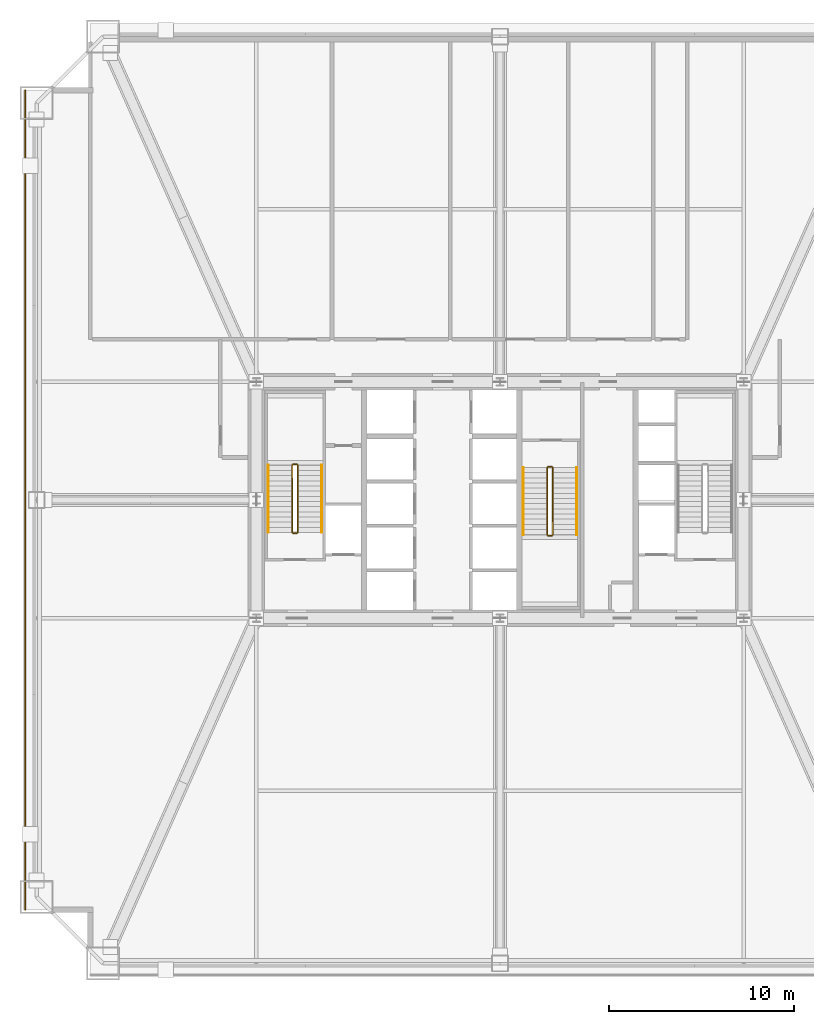
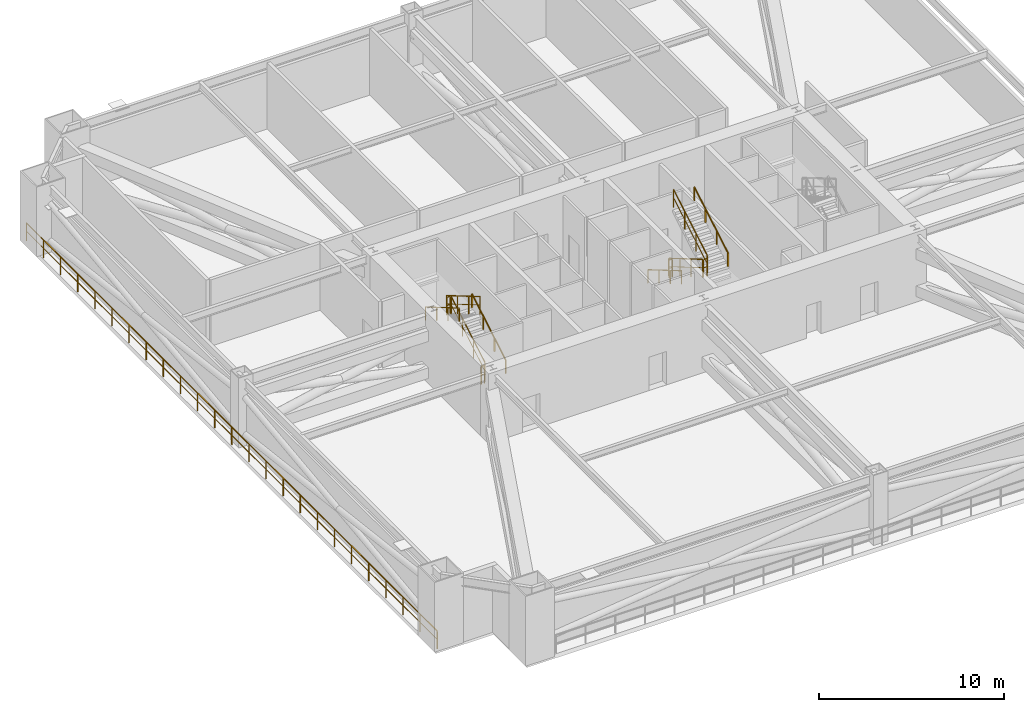
# One storey, part 9 of 11: 13 railings.
"""IFC4 building model written with IfcOpenShell, lengths in metres."""

from ifc_helpers import new_model, si_unit, direction, frame, origin, origin_2d, place, context, subcontext, project, spatial, rectangle, extrude, source, transform, mapped, material, layer, layer_set, type_object, element, save


model = new_model("IFC4")

# Units and contexts
model_context = context("Model", 3, precision=1e-05, world=origin(), true_north=direction((0.0, 1.0)))
body_context = subcontext(model_context, "Body", "Model", "MODEL_VIEW")
ifc_project = project(units=[si_unit("LENGTHUNIT", "METRE"), si_unit("AREAUNIT", "SQUARE_METRE"), si_unit("VOLUMEUNIT", "CUBIC_METRE"), si_unit("PLANEANGLEUNIT", "RADIAN"), si_unit("MASSUNIT", "GRAM", prefix="KILO"), si_unit("THERMODYNAMICTEMPERATUREUNIT", "KELVIN"), si_unit("POWERUNIT", "WATT")], contexts=[model_context])

# Site, building, storey
site_placement = place(None, origin())
site = spatial("IfcSite", under=ifc_project, at=site_placement, CompositionType="ELEMENT")
building_placement = place(site_placement, origin())
building = spatial("IfcBuilding", under=site, at=building_placement, Name="Yuzanri Waterfront Tower", CompositionType="ELEMENT")
storey_placement = place(building_placement, frame((0.0, 0.0, 41.39990234375)))
storey = spatial("IfcBuildingStorey", under=building, at=storey_placement, Name="L10", CompositionType="ELEMENT", Elevation=41.39990234375)

# Railings
ifc_material_1 = material(Name="Anodized Architectural Bronze", Category="metal")
ifc_layer_1 = layer(ifc_material_1, 0.080078125)
ifc_layer_set_1 = layer_set([ifc_layer_1], Name="Anodized Architectural Bronze")
railing_type_1 = type_object("IfcRailingType", Name="Laminated Glass and Bronze Balcony Guardrail 1200", PredefinedType="BALUSTRADE", material=ifc_layer_set_1)
shared_shape_1 = source(origin(), body_context, "Body", "SweptSolid", [
    extrude(rectangle(XDim=0.050048828125, YDim=0.050048828125, at=origin_2d()), frame((0.0, 0.0, 1.1748046875), z_axis=(0.0, 1.0, 0.0), x_axis=(-1.0, 0.0, 0.0)), (0.0, 0.0, 1.0), 44.39990234375),
    extrude(rectangle(XDim=0.035888671875, YDim=0.030029296875, at=origin_2d()), frame((0.0, 0.0, 0.6240234375), z_axis=(0.0, 1.0, 0.0), x_axis=(-1.0, 0.0, 0.0)), (0.0, 0.0, 1.0), 44.39990234375),
    extrude(rectangle(XDim=0.0458984375, YDim=0.0458984375, at=origin_2d()), origin(), (0.0, 0.0, 1.0), 1.14990234375),
    extrude(rectangle(XDim=0.0458984375, YDim=0.0458984375, at=origin_2d()), frame((0.0, 1.85009765625, 0.0)), (0.0, 0.0, 1.0), 1.14990234375),
    extrude(rectangle(XDim=0.0458984375, YDim=0.0458984375, at=origin_2d()), frame((0.0, 3.699951171875, 0.0)), (0.0, 0.0, 1.0), 1.14990234375),
    extrude(rectangle(XDim=0.0458984375, YDim=0.0458984375, at=origin_2d()), frame((0.0, 5.550048828125, 0.0)), (0.0, 0.0, 1.0), 1.14990234375),
    extrude(rectangle(XDim=0.0458984375, YDim=0.0458984375, at=origin_2d()), frame((0.0, 7.39990234375, 0.0)), (0.0, 0.0, 1.0), 1.14990234375),
    extrude(rectangle(XDim=0.0458984375, YDim=0.0458984375, at=origin_2d()), frame((0.0, 9.25, 0.0)), (0.0, 0.0, 1.0), 1.14990234375),
    extrude(rectangle(XDim=0.0458984375, YDim=0.0458984375, at=origin_2d()), frame((0.0, 11.10009765625, 0.0)), (0.0, 0.0, 1.0), 1.14990234375),
    extrude(rectangle(XDim=0.0458984375, YDim=0.0458984375, at=origin_2d()), frame((0.0, 12.949951171875, 0.0)), (0.0, 0.0, 1.0), 1.14990234375),
    extrude(rectangle(XDim=0.0458984375, YDim=0.0458984375, at=origin_2d()), frame((0.0, 14.800048828125, 0.0)), (0.0, 0.0, 1.0), 1.14990234375),
    extrude(rectangle(XDim=0.0458984375, YDim=0.0458984375, at=origin_2d()), frame((0.0, 16.64990234375, 0.0)), (0.0, 0.0, 1.0), 1.14990234375),
    extrude(rectangle(XDim=0.0458984375, YDim=0.0458984375, at=origin_2d()), frame((0.0, 18.5, 0.0)), (0.0, 0.0, 1.0), 1.14990234375),
    extrude(rectangle(XDim=0.0458984375, YDim=0.0458984375, at=origin_2d()), frame((0.0, 20.349853515625, 0.0)), (0.0, 0.0, 1.0), 1.14990234375),
    extrude(rectangle(XDim=0.0458984375, YDim=0.0458984375, at=origin_2d()), frame((0.0, 22.199951171875, 0.0)), (0.0, 0.0, 1.0), 1.14990234375),
    extrude(rectangle(XDim=0.0458984375, YDim=0.0458984375, at=origin_2d()), frame((0.0, 24.050048828125, 0.0)), (0.0, 0.0, 1.0), 1.14990234375),
    extrude(rectangle(XDim=0.0458984375, YDim=0.0458984375, at=origin_2d()), frame((0.0, 25.89990234375, 0.0)), (0.0, 0.0, 1.0), 1.14990234375),
    extrude(rectangle(XDim=0.0458984375, YDim=0.0458984375, at=origin_2d()), frame((0.0, 27.75, 0.0)), (0.0, 0.0, 1.0), 1.14990234375),
    extrude(rectangle(XDim=0.0458984375, YDim=0.0458984375, at=origin_2d()), frame((0.0, 29.599853515625, 0.0)), (0.0, 0.0, 1.0), 1.14990234375),
    extrude(rectangle(XDim=0.0458984375, YDim=0.0458984375, at=origin_2d()), frame((0.0, 31.449951171875, 0.0)), (0.0, 0.0, 1.0), 1.14990234375),
    extrude(rectangle(XDim=0.0458984375, YDim=0.0458984375, at=origin_2d()), frame((0.0, 33.2998046875, 0.0)), (0.0, 0.0, 1.0), 1.14990234375),
    extrude(rectangle(XDim=0.0458984375, YDim=0.0458984375, at=origin_2d()), frame((0.0, 35.14990234375, 0.0)), (0.0, 0.0, 1.0), 1.14990234375),
    extrude(rectangle(XDim=0.0458984375, YDim=0.0458984375, at=origin_2d()), frame((0.0, 37.0, 0.0)), (0.0, 0.0, 1.0), 1.14990234375),
    extrude(rectangle(XDim=0.0458984375, YDim=0.0458984375, at=origin_2d()), frame((0.0, 38.849853515625, 0.0)), (0.0, 0.0, 1.0), 1.14990234375),
    extrude(rectangle(XDim=0.0458984375, YDim=0.0458984375, at=origin_2d()), frame((0.0, 40.699951171875, 0.0)), (0.0, 0.0, 1.0), 1.14990234375),
    extrude(rectangle(XDim=0.0458984375, YDim=0.0458984375, at=origin_2d()), frame((0.0, 42.5498046875, 0.0)), (0.0, 0.0, 1.0), 1.14990234375),
    extrude(rectangle(XDim=0.0458984375, YDim=0.0458984375, at=origin_2d()), frame((0.0, 44.39990234375, 0.0)), (0.0, 0.0, 1.0), 1.14990234375),
])
railing_1_placement = place(storey_placement, frame((11.280029296875, 3.60009765625, 0.0)))
element("IfcRailing", 1, at=railing_1_placement, inside=storey, type_object=railing_type_1, Name="L10 West Refuge Edge Guard", PredefinedType="BALUSTRADE", context=body_context, shape_type="MappedRepresentation", body=[
    mapped(shared_shape_1, transform((0.0, 0.0, 0.0), scale=1.0)),
])
ifc_material_2 = material(Name="Painted Galvanized Fire Steel", Category="steel")
ifc_layer_2 = layer(ifc_material_2, 0.06005859375)
ifc_layer_set_2 = layer_set([ifc_layer_2], Name="Painted Galvanized Fire Steel")
railing_type_2 = type_object("IfcRailingType", Name="Painted Steel Stairwell Guardrail 1120", PredefinedType="GUARDRAIL", material=ifc_layer_set_2)
shared_shape_2 = source(origin(), body_context, "Body", "SweptSolid", [
    extrude(rectangle(XDim=0.050048828125, YDim=0.050048828125, at=origin_2d()), frame((0.0, 0.0, 1.1748046875), z_axis=(-1.0, 0.0, 0.0), x_axis=(0.0, -1.0, 0.0)), (0.0, 0.0, 1.0), 0.199951171875),
    extrude(rectangle(XDim=0.035888671875, YDim=0.030029296875, at=origin_2d()), frame((0.0, 0.0, 0.6240234375), z_axis=(-1.0, 0.0, 0.0), x_axis=(0.0, -1.0, 0.0)), (0.0, 0.0, 1.0), 0.199951171875),
    extrude(rectangle(XDim=0.0458984375, YDim=0.0458984375, at=origin_2d()), origin(), (0.0, 0.0, 1.0), 1.14990234375),
    extrude(rectangle(XDim=0.0458984375, YDim=0.0458984375, at=origin_2d()), frame((-0.199951171875, 0.0, 0.0)), (0.0, 0.0, 1.0), 1.14990234375),
])
for number, where, name in (
    (2, (26.0, 27.72998046875, 2.300048828125), "L10 ST-01 stair guard 2"),
    (3, (26.0, 23.989990234375, 0.0), "L10 ST-01 stair guard 4"),
):
    element("IfcRailing", number, at=place(storey_placement, frame(where)), inside=storey, type_object=railing_type_2, Name=name, PredefinedType="GUARDRAIL", context=body_context, shape_type="MappedRepresentation", body=[
        mapped(shared_shape_2, transform((0.0, 0.0, 0.0), scale=1.0)),
    ])
shared_shape_3 = source(origin(), body_context, "Body", "SweptSolid", [
    extrude(rectangle(XDim=0.050048828125, YDim=0.050048828125, at=origin_2d()), frame((0.0, 0.0, 1.1748046875), z_axis=(0.0, 0.862489892076, 0.506074289079), x_axis=(-1.0, 0.0, 0.0)), (0.0, 0.0, 1.0), 4.22021484375),
    extrude(rectangle(XDim=0.035888671875, YDim=0.030029296875, at=origin_2d()), frame((0.0, 0.0, 0.6240234375), z_axis=(0.0, 0.862489892076, 0.506074289079), x_axis=(-1.0, 0.0, 0.0)), (0.0, 0.0, 1.0), 4.22021484375),
    extrude(rectangle(XDim=0.0458984375, YDim=0.0458984375, at=origin_2d()), origin(), (0.0, 0.0, 1.0), 1.14990234375),
    extrude(rectangle(XDim=0.0458984375, YDim=0.0458984375, at=origin_2d()), frame((0.0, 1.21337890625, 0.7119140625)), (0.0, 0.0, 1.0), 1.14990234375),
    extrude(rectangle(XDim=0.0458984375, YDim=0.0458984375, at=origin_2d()), frame((0.0, 2.426513671875, 1.423828125)), (0.0, 0.0, 1.0), 1.14990234375),
    extrude(rectangle(XDim=0.0458984375, YDim=0.0458984375, at=origin_2d()), frame((0.0, 3.639892578125, 2.1357421875)), (0.0, 0.0, 1.0), 1.14990234375),
])
railing_2_placement = place(storey_placement, frame((26.050048828125, 24.0400390625, 0.164306640625)))
element("IfcRailing", 4, at=railing_2_placement, inside=storey, type_object=railing_type_2, Name="L10 ST-01 stair guard 1", PredefinedType="GUARDRAIL", context=body_context, shape_type="MappedRepresentation", body=[
    mapped(shared_shape_3, transform((0.0, 0.0, 0.0), scale=1.0)),
])
shared_shape_4 = source(origin(), body_context, "Body", "SweptSolid", [
    extrude(rectangle(XDim=0.050048828125, YDim=0.050048828125, at=origin_2d()), frame((0.0, 0.0, 1.1748046875), z_axis=(0.0, -0.862489892076, 0.506074289079), x_axis=(1.0, 0.0, 0.0)), (0.0, 0.0, 1.0), 4.22021484375),
    extrude(rectangle(XDim=0.035888671875, YDim=0.030029296875, at=origin_2d()), frame((0.0, 0.0, 0.6240234375), z_axis=(0.0, -0.862489892076, 0.506074289079), x_axis=(1.0, 0.0, 0.0)), (0.0, 0.0, 1.0), 4.22021484375),
    extrude(rectangle(XDim=0.0458984375, YDim=0.0458984375, at=origin_2d()), origin(), (0.0, 0.0, 1.0), 1.14990234375),
    extrude(rectangle(XDim=0.0458984375, YDim=0.0458984375, at=origin_2d()), frame((0.0, -1.21337890625, 0.7119140625)), (0.0, 0.0, 1.0), 1.14990234375),
    extrude(rectangle(XDim=0.0458984375, YDim=0.0458984375, at=origin_2d()), frame((0.0, -2.426513671875, 1.423828125)), (0.0, 0.0, 1.0), 1.14990234375),
    extrude(rectangle(XDim=0.0458984375, YDim=0.0458984375, at=origin_2d()), frame((0.0, -3.639892578125, 2.1357421875)), (0.0, 0.0, 1.0), 1.14990234375),
])
railing_3_placement = place(storey_placement, frame((25.75, 27.679931640625, 2.46435546875)))
element("IfcRailing", 5, at=railing_3_placement, inside=storey, type_object=railing_type_2, Name="L10 ST-01 stair guard 3", PredefinedType="GUARDRAIL", context=body_context, shape_type="MappedRepresentation", body=[
    mapped(shared_shape_4, transform((0.0, 0.0, 0.0), scale=1.0)),
])
ifc_material_3 = material(Name="Anodized Architectural Bronze", Category="metal")
ifc_layer_3 = layer(ifc_material_3, 0.050048828125)
ifc_layer_set_3 = layer_set([ifc_layer_3], Name="Anodized Architectural Bronze")
railing_type_3 = type_object("IfcRailingType", Name="Brushed Bronze Stair Pitch Handrail 920", PredefinedType="HANDRAIL", material=ifc_layer_set_3)
shared_shape_5 = source(origin(), body_context, "Body", "SweptSolid", [
    extrude(rectangle(XDim=0.050048828125, YDim=0.050048828125, at=origin_2d()), frame((0.0, 0.0, 0.875), z_axis=(0.0, 0.862489892076, 0.506074289079), x_axis=(-1.0, 0.0, 0.0)), (0.0, 0.0, 1.0), 4.22021484375),
    extrude(rectangle(XDim=0.0458984375, YDim=0.0458984375, at=origin_2d()), origin(), (0.0, 0.0, 1.0), 0.849853515625),
    extrude(rectangle(XDim=0.0458984375, YDim=0.0458984375, at=origin_2d()), frame((0.0, 1.21337890625, 0.7119140625)), (0.0, 0.0, 1.0), 0.849853515625),
    extrude(rectangle(XDim=0.0458984375, YDim=0.0458984375, at=origin_2d()), frame((0.0, 2.426513671875, 1.423828125)), (0.0, 0.0, 1.0), 0.849853515625),
    extrude(rectangle(XDim=0.0458984375, YDim=0.0458984375, at=origin_2d()), frame((0.0, 3.639892578125, 2.1357421875)), (0.0, 0.0, 1.0), 0.849853515625),
])
railing_4_placement = place(storey_placement, frame((27.35009765625, 24.0400390625, 0.164306640625)))
element("IfcRailing", 6, at=railing_4_placement, inside=storey, type_object=railing_type_3, Name="L10 ST-01 stair handrail 1", PredefinedType="HANDRAIL", context=body_context, shape_type="MappedRepresentation", body=[
    mapped(shared_shape_5, transform((0.0, 0.0, 0.0), scale=1.0)),
])
shared_shape_6 = source(origin(), body_context, "Body", "SweptSolid", [
    extrude(rectangle(XDim=0.050048828125, YDim=0.050048828125, at=origin_2d()), frame((0.0, 0.0, 0.875), z_axis=(0.0, -0.862489892076, 0.506074289079), x_axis=(1.0, 0.0, 0.0)), (0.0, 0.0, 1.0), 4.22021484375),
    extrude(rectangle(XDim=0.0458984375, YDim=0.0458984375, at=origin_2d()), origin(), (0.0, 0.0, 1.0), 0.849853515625),
    extrude(rectangle(XDim=0.0458984375, YDim=0.0458984375, at=origin_2d()), frame((0.0, -1.21337890625, 0.7119140625)), (0.0, 0.0, 1.0), 0.849853515625),
    extrude(rectangle(XDim=0.0458984375, YDim=0.0458984375, at=origin_2d()), frame((0.0, -2.426513671875, 1.423828125)), (0.0, 0.0, 1.0), 0.849853515625),
    extrude(rectangle(XDim=0.0458984375, YDim=0.0458984375, at=origin_2d()), frame((0.0, -3.639892578125, 2.1357421875)), (0.0, 0.0, 1.0), 0.849853515625),
])
railing_5_placement = place(storey_placement, frame((24.449951171875, 27.679931640625, 2.46435546875)))
element("IfcRailing", 7, at=railing_5_placement, inside=storey, type_object=railing_type_3, Name="L10 ST-01 stair handrail 2", PredefinedType="HANDRAIL", context=body_context, shape_type="MappedRepresentation", body=[
    mapped(shared_shape_6, transform((0.0, 0.0, 0.0), scale=1.0)),
])
shared_shape_7 = source(origin(), body_context, "Body", "SweptSolid", [
    extrude(rectangle(XDim=0.050048828125, YDim=0.050048828125, at=origin_2d()), frame((0.0, 0.0, 1.1748046875), z_axis=(1.0, 0.0, 0.0), x_axis=(0.0, 1.0, 0.0)), (0.0, 0.0, 1.0), 0.199951171875),
    extrude(rectangle(XDim=0.035888671875, YDim=0.030029296875, at=origin_2d()), frame((0.0, 0.0, 0.6240234375), z_axis=(1.0, 0.0, 0.0), x_axis=(0.0, 1.0, 0.0)), (0.0, 0.0, 1.0), 0.199951171875),
    extrude(rectangle(XDim=0.0458984375, YDim=0.0458984375, at=origin_2d()), origin(), (0.0, 0.0, 1.0), 1.14990234375),
    extrude(rectangle(XDim=0.0458984375, YDim=0.0458984375, at=origin_2d()), frame((0.199951171875, 0.0, 0.0)), (0.0, 0.0, 1.0), 1.14990234375),
])
for number, where, name in (
    (8, (39.60009765625, 23.8701171875, 2.300048828125), "L10 ST-03 stair guard 2"),
    (9, (39.60009765625, 27.610107421875, 0.0), "L10 ST-03 stair guard 4"),
):
    element("IfcRailing", number, at=place(storey_placement, frame(where)), inside=storey, type_object=railing_type_2, Name=name, PredefinedType="GUARDRAIL", context=body_context, shape_type="MappedRepresentation", body=[
        mapped(shared_shape_7, transform((0.0, 0.0, 0.0), scale=1.0)),
    ])
shared_shape_8 = source(origin(), body_context, "Body", "SweptSolid", [
    extrude(rectangle(XDim=0.050048828125, YDim=0.050048828125, at=origin_2d()), frame((0.0, 0.0, 1.1748046875), z_axis=(0.0, -0.862504707072, 0.506049039401), x_axis=(1.0, 0.0, 0.0)), (0.0, 0.0, 1.0), 4.220458984375),
    extrude(rectangle(XDim=0.035888671875, YDim=0.030029296875, at=origin_2d()), frame((0.0, 0.0, 0.6240234375), z_axis=(0.0, -0.862504707072, 0.506049039401), x_axis=(1.0, 0.0, 0.0)), (0.0, 0.0, 1.0), 4.220458984375),
    extrude(rectangle(XDim=0.0458984375, YDim=0.0458984375, at=origin_2d()), origin(), (0.0, 0.0, 1.0), 1.14990234375),
    extrude(rectangle(XDim=0.0458984375, YDim=0.0458984375, at=origin_2d()), frame((0.0, -1.21337890625, 0.7119140625)), (0.0, 0.0, 1.0), 1.14990234375),
    extrude(rectangle(XDim=0.0458984375, YDim=0.0458984375, at=origin_2d()), frame((0.0, -2.4267578125, 1.423828125)), (0.0, 0.0, 1.0), 1.14990234375),
    extrude(rectangle(XDim=0.0458984375, YDim=0.0458984375, at=origin_2d()), frame((0.0, -3.64013671875, 2.1357421875)), (0.0, 0.0, 1.0), 1.14990234375),
])
railing_6_placement = place(storey_placement, frame((39.550048828125, 27.56005859375, 0.164306640625)))
element("IfcRailing", 10, at=railing_6_placement, inside=storey, type_object=railing_type_2, Name="L10 ST-03 stair guard 1", PredefinedType="GUARDRAIL", context=body_context, shape_type="MappedRepresentation", body=[
    mapped(shared_shape_8, transform((0.0, 0.0, 0.0), scale=1.0)),
])
shared_shape_9 = source(origin(), body_context, "Body", "SweptSolid", [
    extrude(rectangle(XDim=0.050048828125, YDim=0.050048828125, at=origin_2d()), frame((0.0, 0.0, 1.1748046875), z_axis=(0.0, 0.862504707072, 0.506049039401), x_axis=(-1.0, 0.0, 0.0)), (0.0, 0.0, 1.0), 4.220458984375),
    extrude(rectangle(XDim=0.035888671875, YDim=0.030029296875, at=origin_2d()), frame((0.0, 0.0, 0.6240234375), z_axis=(0.0, 0.862504707072, 0.506049039401), x_axis=(-1.0, 0.0, 0.0)), (0.0, 0.0, 1.0), 4.220458984375),
    extrude(rectangle(XDim=0.0458984375, YDim=0.0458984375, at=origin_2d()), origin(), (0.0, 0.0, 1.0), 1.14990234375),
    extrude(rectangle(XDim=0.0458984375, YDim=0.0458984375, at=origin_2d()), frame((0.0, 1.21337890625, 0.7119140625)), (0.0, 0.0, 1.0), 1.14990234375),
    extrude(rectangle(XDim=0.0458984375, YDim=0.0458984375, at=origin_2d()), frame((0.0, 2.4267578125, 1.423828125)), (0.0, 0.0, 1.0), 1.14990234375),
    extrude(rectangle(XDim=0.0458984375, YDim=0.0458984375, at=origin_2d()), frame((0.0, 3.64013671875, 2.1357421875)), (0.0, 0.0, 1.0), 1.14990234375),
])
railing_7_placement = place(storey_placement, frame((39.85009765625, 23.919921875, 2.46435546875)))
element("IfcRailing", 11, at=railing_7_placement, inside=storey, type_object=railing_type_2, Name="L10 ST-03 stair guard 3", PredefinedType="GUARDRAIL", context=body_context, shape_type="MappedRepresentation", body=[
    mapped(shared_shape_9, transform((0.0, 0.0, 0.0), scale=1.0)),
])
shared_shape_10 = source(origin(), body_context, "Body", "SweptSolid", [
    extrude(rectangle(XDim=0.050048828125, YDim=0.050048828125, at=origin_2d()), frame((0.0, 0.0, 0.875), z_axis=(0.0, -0.862504707072, 0.506049039401), x_axis=(1.0, 0.0, 0.0)), (0.0, 0.0, 1.0), 4.220458984375),
    extrude(rectangle(XDim=0.0458984375, YDim=0.0458984375, at=origin_2d()), origin(), (0.0, 0.0, 1.0), 0.849853515625),
    extrude(rectangle(XDim=0.0458984375, YDim=0.0458984375, at=origin_2d()), frame((0.0, -1.21337890625, 0.7119140625)), (0.0, 0.0, 1.0), 0.849853515625),
    extrude(rectangle(XDim=0.0458984375, YDim=0.0458984375, at=origin_2d()), frame((0.0, -2.4267578125, 1.423828125)), (0.0, 0.0, 1.0), 0.849853515625),
    extrude(rectangle(XDim=0.0458984375, YDim=0.0458984375, at=origin_2d()), frame((0.0, -3.64013671875, 2.1357421875)), (0.0, 0.0, 1.0), 0.849853515625),
])
railing_8_placement = place(storey_placement, frame((38.25, 27.56005859375, 0.164306640625)))
element("IfcRailing", 12, at=railing_8_placement, inside=storey, type_object=railing_type_3, Name="L10 ST-03 stair handrail 1", PredefinedType="HANDRAIL", context=body_context, shape_type="MappedRepresentation", body=[
    mapped(shared_shape_10, transform((0.0, 0.0, 0.0), scale=1.0)),
])
shared_shape_11 = source(origin(), body_context, "Body", "SweptSolid", [
    extrude(rectangle(XDim=0.050048828125, YDim=0.050048828125, at=origin_2d()), frame((0.0, 0.0, 0.875), z_axis=(0.0, 0.862504707072, 0.506049039401), x_axis=(-1.0, 0.0, 0.0)), (0.0, 0.0, 1.0), 4.220458984375),
    extrude(rectangle(XDim=0.0458984375, YDim=0.0458984375, at=origin_2d()), origin(), (0.0, 0.0, 1.0), 0.849853515625),
    extrude(rectangle(XDim=0.0458984375, YDim=0.0458984375, at=origin_2d()), frame((0.0, 1.21337890625, 0.7119140625)), (0.0, 0.0, 1.0), 0.849853515625),
    extrude(rectangle(XDim=0.0458984375, YDim=0.0458984375, at=origin_2d()), frame((0.0, 2.4267578125, 1.423828125)), (0.0, 0.0, 1.0), 0.849853515625),
    extrude(rectangle(XDim=0.0458984375, YDim=0.0458984375, at=origin_2d()), frame((0.0, 3.64013671875, 2.1357421875)), (0.0, 0.0, 1.0), 0.849853515625),
])
railing_9_placement = place(storey_placement, frame((41.14990234375, 23.919921875, 2.46435546875)))
element("IfcRailing", 13, at=railing_9_placement, inside=storey, type_object=railing_type_3, Name="L10 ST-03 stair handrail 2", PredefinedType="HANDRAIL", context=body_context, shape_type="MappedRepresentation", body=[
    mapped(shared_shape_11, transform((0.0, 0.0, 0.0), scale=1.0)),
])

save(model, "model.ifc")
